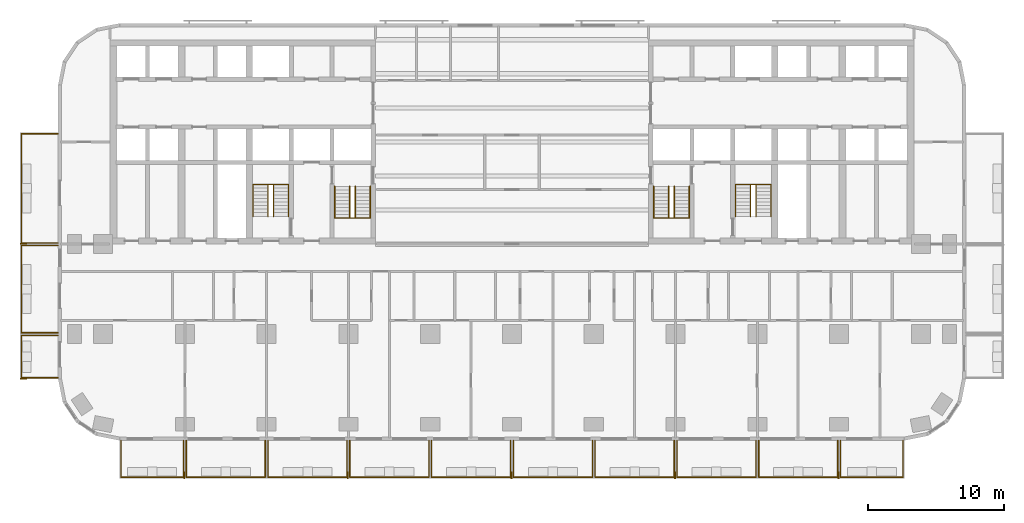
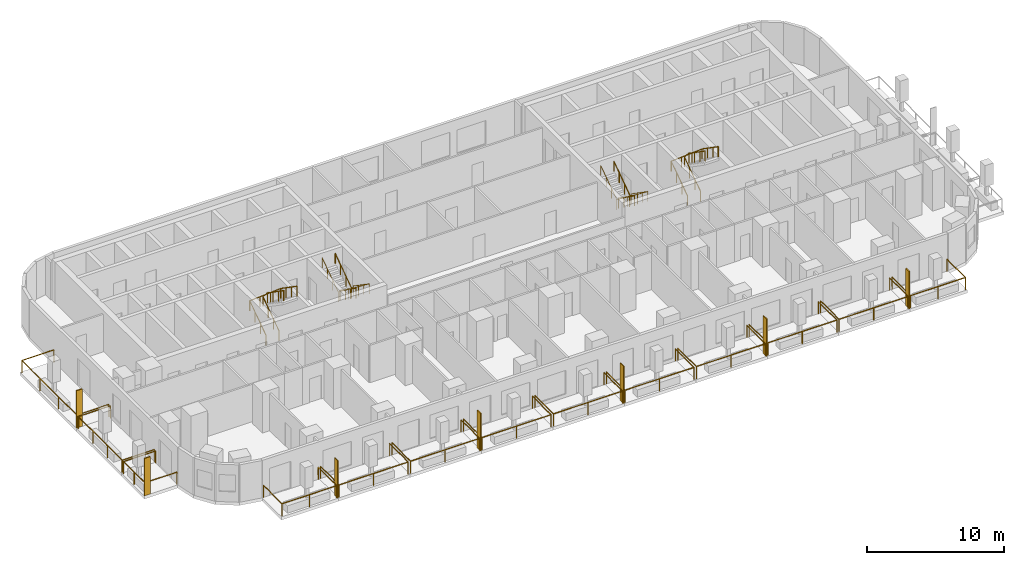
# One storey, part 12 of 14: 21 railings, 7 shading devices.
"""IFC4 building model written with IfcOpenShell, lengths in metres."""

from ifc_helpers import new_model, si_unit, direction, frame, origin, origin_2d, place, context, subcontext, project, spatial, rectangle, circle, extrude, material, layer, layer_set, type_object, element, save


model = new_model("IFC4")

# Units and contexts
model_context = context("Model", 3, precision=1e-05, world=origin(), true_north=direction((0.0, 1.0)))
body_context = subcontext(model_context, "Body", "Model", "MODEL_VIEW")
ifc_project = project(units=[si_unit("LENGTHUNIT", "METRE"), si_unit("AREAUNIT", "SQUARE_METRE"), si_unit("VOLUMEUNIT", "CUBIC_METRE"), si_unit("PLANEANGLEUNIT", "RADIAN"), si_unit("MASSUNIT", "GRAM", prefix="KILO")], contexts=[model_context])

# Site, building, storey
site_placement = place(None, origin())
site = spatial("IfcSite", under=ifc_project, at=site_placement, CompositionType="ELEMENT")
building_placement = place(site_placement, origin())
building = spatial("IfcBuilding", under=site, at=building_placement, Name="Torana Hotel and Residences", CompositionType="ELEMENT")
storey_placement = place(building_placement, frame((0.0, 0.0, 96.0)))
storey = spatial("IfcBuildingStorey", under=building, at=storey_placement, Name="L24", CompositionType="ELEMENT", Elevation=96.0)

# Shading devices
ifc_material_1 = material(Name="Black powder coated aluminium", Category="aluminium")
ifc_layer = layer(ifc_material_1, 0.080078125)
ifc_layer_set = layer_set([ifc_layer], Name="FN1 VERTICAL FIN 500x80")
shading_device_type = type_object("IfcShadingDeviceType", Name="FN1 VERTICAL FIN 500x80", PredefinedType="USERDEFINED", material=ifc_layer_set)
for number, where, z_axis, x_axis, name in (
    (1, (-24.0400390625, -31.949951171875, 0.0), (0.0, 0.0, 1.0), (-1.0, 0.0, 0.0), "Fin 01"),
    (2, (-12.0400390625, -31.949951171875, 0.0), (0.0, 0.0, 1.0), (-1.0, 0.0, 0.0), "Fin 03"),
    (3, (-0.0400390625, -31.949951171875, 0.0), (0.0, 0.0, 1.0), (-1.0, 0.0, 0.0), "Fin 05"),
    (4, (11.9599609375, -31.949951171875, 0.0), (0.0, 0.0, 1.0), (-1.0, 0.0, 0.0), "Fin 07"),
    (5, (23.9599609375, -31.949951171875, 0.0), (0.0, 0.0, 1.0), (-1.0, 0.0, 0.0), "Fin 09"),
    (6, (-35.85009765625, -24.860107421875, 0.0), (0.0, 0.0, 1.0), (0.0, 1.0, 0.0), "Fin 11"),
    (7, (-35.85009765625, -14.9599609375, 0.0), (0.0, 0.0, 1.0), (0.0, 1.0, 0.0), "Fin 13"),
):
    element("IfcShadingDevice", number, at=place(storey_placement, frame(where, z_axis=z_axis, x_axis=x_axis)), inside=storey, type_object=shading_device_type, Name=name, ObjectType="FIN", PredefinedType="USERDEFINED", context=body_context, shape_type="SweptSolid", body=[
        extrude(rectangle(XDim=0.080078125, YDim=0.5, at=origin_2d()), origin(), (0.0, 0.0, 1.0), 3.320068359375),
    ])

# Railings
ifc_material_2 = material(Name="Laminated glass balustrade with black handrail", Category="glass")
railing_type_1 = type_object("IfcRailingType", Name="GR1 BALCONY GUARD 1100 GLASS", PredefinedType="GUARDRAIL", material=ifc_material_2)
railing_1_placement = place(storey_placement, frame((-24.10009765625, -29.39990234375, 0.0)))
element("IfcRailing", 8, at=railing_1_placement, inside=storey, type_object=railing_type_1, Name="Balcony guard 01", PredefinedType="GUARDRAIL", context=body_context, shape_type="SweptSolid", body=[
    extrude(circle(Radius=0.02392578125, at=origin_2d()), frame((0.0, 0.0, 1.076171875), z_axis=(0.0, -1.0, 0.0), x_axis=(1.0, 0.0, 0.0)), (0.0, 0.0, 1.0), 2.7001953125),
    extrude(circle(Radius=0.02392578125, at=origin_2d()), frame((0.0, -2.7001953125, 1.076171875), z_axis=(-1.0, 0.0, 0.0), x_axis=(0.0, -1.0, 0.0)), (0.0, 0.0, 1.0), 4.599853515625),
    extrude(circle(Radius=0.02392578125, at=origin_2d()), frame((-4.599853515625, -2.7001953125, 1.076171875), z_axis=(0.0, 1.0, 0.0), x_axis=(-1.0, 0.0, 0.0)), (0.0, 0.0, 1.0), 2.7001953125),
    extrude(circle(Radius=0.02099609375, at=origin_2d()), origin(), (0.0, 0.0, 1.0), 1.052001953125),
    extrude(circle(Radius=0.02099609375, at=origin_2d()), frame((0.0, -2.7001953125, 0.0)), (0.0, 0.0, 1.0), 1.052001953125),
    extrude(circle(Radius=0.02099609375, at=origin_2d()), frame((-2.2998046875, -2.7001953125, 0.0)), (0.0, 0.0, 1.0), 1.052001953125),
    extrude(circle(Radius=0.02099609375, at=origin_2d()), frame((-4.599853515625, -2.7001953125, 0.0)), (0.0, 0.0, 1.0), 1.052001953125),
    extrude(circle(Radius=0.02099609375, at=origin_2d()), frame((-4.599853515625, 0.0, 0.0)), (0.0, 0.0, 1.0), 1.052001953125),
])
for number, where, name in (
    (9, (-18.10009765625, -29.39990234375, 0.0), "Balcony guard 02"),
    (10, (-12.10009765625, -29.39990234375, 0.0), "Balcony guard 03"),
    (11, (-6.10009765625, -29.39990234375, 0.0), "Balcony guard 04"),
    (12, (-0.10009765625, -29.39990234375, 0.0), "Balcony guard 05"),
    (13, (5.89990234375, -29.39990234375, 0.0), "Balcony guard 06"),
    (14, (11.89990234375, -29.39990234375, 0.0), "Balcony guard 07"),
    (15, (17.89990234375, -29.39990234375, 0.0), "Balcony guard 08"),
    (16, (23.89990234375, -29.39990234375, 0.0), "Balcony guard 09"),
):
    element("IfcRailing", number, at=place(storey_placement, frame(where)), inside=storey, type_object=railing_type_1, Name=name, PredefinedType="GUARDRAIL", context=body_context, shape_type="SweptSolid", body=[
        extrude(circle(Radius=0.02392578125, at=origin_2d()), frame((0.0, 0.0, 1.076171875), z_axis=(0.0, -1.0, 0.0), x_axis=(1.0, 0.0, 0.0)), (0.0, 0.0, 1.0), 2.7001953125),
        extrude(circle(Radius=0.02392578125, at=origin_2d()), frame((0.0, -2.7001953125, 1.076171875), z_axis=(-1.0, 0.0, 0.0), x_axis=(0.0, -1.0, 0.0)), (0.0, 0.0, 1.0), 5.7998046875),
        extrude(circle(Radius=0.02392578125, at=origin_2d()), frame((-5.7998046875, -2.7001953125, 1.076171875), z_axis=(0.0, 1.0, 0.0), x_axis=(-1.0, 0.0, 0.0)), (0.0, 0.0, 1.0), 2.7001953125),
        extrude(circle(Radius=0.02099609375, at=origin_2d()), origin(), (0.0, 0.0, 1.0), 1.052001953125),
        extrude(circle(Radius=0.02099609375, at=origin_2d()), frame((0.0, -2.7001953125, 0.0)), (0.0, 0.0, 1.0), 1.052001953125),
        extrude(circle(Radius=0.02099609375, at=origin_2d()), frame((-2.89990234375, -2.7001953125, 0.0)), (0.0, 0.0, 1.0), 1.052001953125),
        extrude(circle(Radius=0.02099609375, at=origin_2d()), frame((-5.7998046875, -2.7001953125, 0.0)), (0.0, 0.0, 1.0), 1.052001953125),
        extrude(circle(Radius=0.02099609375, at=origin_2d()), frame((-5.7998046875, 0.0, 0.0)), (0.0, 0.0, 1.0), 1.052001953125),
    ])
railing_2_placement = place(storey_placement, frame((28.699951171875, -29.39990234375, 0.0)))
element("IfcRailing", 17, at=railing_2_placement, inside=storey, type_object=railing_type_1, Name="Balcony guard 10", PredefinedType="GUARDRAIL", context=body_context, shape_type="SweptSolid", body=[
    extrude(circle(Radius=0.02392578125, at=origin_2d()), frame((0.0, 0.0, 1.076171875), z_axis=(0.0, -1.0, 0.0), x_axis=(1.0, 0.0, 0.0)), (0.0, 0.0, 1.0), 2.7001953125),
    extrude(circle(Radius=0.02392578125, at=origin_2d()), frame((0.0, -2.7001953125, 1.076171875), z_axis=(-1.0, 0.0, 0.0), x_axis=(0.0, -1.0, 0.0)), (0.0, 0.0, 1.0), 4.599853515625),
    extrude(circle(Radius=0.02392578125, at=origin_2d()), frame((-4.599853515625, -2.7001953125, 1.076171875), z_axis=(0.0, 1.0, 0.0), x_axis=(-1.0, 0.0, 0.0)), (0.0, 0.0, 1.0), 2.7001953125),
    extrude(circle(Radius=0.02099609375, at=origin_2d()), origin(), (0.0, 0.0, 1.0), 1.052001953125),
    extrude(circle(Radius=0.02099609375, at=origin_2d()), frame((0.0, -2.7001953125, 0.0)), (0.0, 0.0, 1.0), 1.052001953125),
    extrude(circle(Radius=0.02099609375, at=origin_2d()), frame((-2.2998046875, -2.7001953125, 0.0)), (0.0, 0.0, 1.0), 1.052001953125),
    extrude(circle(Radius=0.02099609375, at=origin_2d()), frame((-4.599853515625, -2.7001953125, 0.0)), (0.0, 0.0, 1.0), 1.052001953125),
    extrude(circle(Radius=0.02099609375, at=origin_2d()), frame((-4.599853515625, 0.0, 0.0)), (0.0, 0.0, 1.0), 1.052001953125),
])
railing_3_placement = place(storey_placement, frame((-33.300048828125, -24.800048828125, 0.0)))
element("IfcRailing", 18, at=railing_3_placement, inside=storey, type_object=railing_type_1, Name="Balcony guard 11", PredefinedType="GUARDRAIL", context=body_context, shape_type="SweptSolid", body=[
    extrude(circle(Radius=0.02392578125, at=origin_2d()), frame((0.0, 0.0, 1.076171875), z_axis=(-1.0, 0.0, 0.0), x_axis=(0.0, -1.0, 0.0)), (0.0, 0.0, 1.0), 2.699951171875),
    extrude(circle(Radius=0.02392578125, at=origin_2d()), frame((-2.699951171875, 0.0, 1.076171875), z_axis=(0.0, 1.0, 0.0), x_axis=(-1.0, 0.0, 0.0)), (0.0, 0.0, 1.0), 3.10009765625),
    extrude(circle(Radius=0.02392578125, at=origin_2d()), frame((-2.699951171875, 3.10009765625, 1.076171875), z_axis=(1.0, 0.0, 0.0), x_axis=(0.0, 1.0, 0.0)), (0.0, 0.0, 1.0), 2.699951171875),
    extrude(circle(Radius=0.02099609375, at=origin_2d()), origin(), (0.0, 0.0, 1.0), 1.052001953125),
    extrude(circle(Radius=0.02099609375, at=origin_2d()), frame((-2.699951171875, 0.0, 0.0)), (0.0, 0.0, 1.0), 1.052001953125),
    extrude(circle(Radius=0.02099609375, at=origin_2d()), frame((-2.699951171875, 1.550048828125, 0.0)), (0.0, 0.0, 1.0), 1.052001953125),
    extrude(circle(Radius=0.02099609375, at=origin_2d()), frame((-2.699951171875, 3.10009765625, 0.0)), (0.0, 0.0, 1.0), 1.052001953125),
    extrude(circle(Radius=0.02099609375, at=origin_2d()), frame((0.0, 3.10009765625, 0.0)), (0.0, 0.0, 1.0), 1.052001953125),
])
railing_4_placement = place(storey_placement, frame((-33.300048828125, -21.5, 0.0)))
element("IfcRailing", 19, at=railing_4_placement, inside=storey, type_object=railing_type_1, Name="Balcony guard 12", PredefinedType="GUARDRAIL", context=body_context, shape_type="SweptSolid", body=[
    extrude(circle(Radius=0.02392578125, at=origin_2d()), frame((0.0, 0.0, 1.076171875), z_axis=(-1.0, 0.0, 0.0), x_axis=(0.0, -1.0, 0.0)), (0.0, 0.0, 1.0), 2.699951171875),
    extrude(circle(Radius=0.02392578125, at=origin_2d()), frame((-2.699951171875, 0.0, 1.076171875), z_axis=(0.0, 1.0, 0.0), x_axis=(-1.0, 0.0, 0.0)), (0.0, 0.0, 1.0), 6.39990234375),
    extrude(circle(Radius=0.02392578125, at=origin_2d()), frame((-2.699951171875, 6.39990234375, 1.076171875), z_axis=(1.0, 0.0, 0.0), x_axis=(0.0, 1.0, 0.0)), (0.0, 0.0, 1.0), 2.699951171875),
    extrude(circle(Radius=0.02099609375, at=origin_2d()), origin(), (0.0, 0.0, 1.0), 1.052001953125),
    extrude(circle(Radius=0.02099609375, at=origin_2d()), frame((-2.699951171875, 0.0, 0.0)), (0.0, 0.0, 1.0), 1.052001953125),
    extrude(circle(Radius=0.02099609375, at=origin_2d()), frame((-2.699951171875, 2.13330078125, 0.0)), (0.0, 0.0, 1.0), 1.052001953125),
    extrude(circle(Radius=0.02099609375, at=origin_2d()), frame((-2.699951171875, 4.2666015625, 0.0)), (0.0, 0.0, 1.0), 1.052001953125),
    extrude(circle(Radius=0.02099609375, at=origin_2d()), frame((-2.699951171875, 6.39990234375, 0.0)), (0.0, 0.0, 1.0), 1.052001953125),
    extrude(circle(Radius=0.02099609375, at=origin_2d()), frame((0.0, 6.39990234375, 0.0)), (0.0, 0.0, 1.0), 1.052001953125),
])
railing_5_placement = place(storey_placement, frame((-33.300048828125, -14.89990234375, 0.0)))
element("IfcRailing", 20, at=railing_5_placement, inside=storey, type_object=railing_type_1, Name="Balcony guard 13", PredefinedType="GUARDRAIL", context=body_context, shape_type="SweptSolid", body=[
    extrude(circle(Radius=0.02392578125, at=origin_2d()), frame((0.0, 0.0, 1.076171875), z_axis=(-1.0, 0.0, 0.0), x_axis=(0.0, -1.0, 0.0)), (0.0, 0.0, 1.0), 2.699951171875),
    extrude(circle(Radius=0.02392578125, at=origin_2d()), frame((-2.699951171875, 0.0, 1.076171875), z_axis=(0.0, 1.0, 0.0), x_axis=(-1.0, 0.0, 0.0)), (0.0, 0.0, 1.0), 8.0),
    extrude(circle(Radius=0.02392578125, at=origin_2d()), frame((-2.699951171875, 8.0, 1.076171875), z_axis=(1.0, 0.0, 0.0), x_axis=(0.0, 1.0, 0.0)), (0.0, 0.0, 1.0), 2.699951171875),
    extrude(circle(Radius=0.02099609375, at=origin_2d()), origin(), (0.0, 0.0, 1.0), 1.052001953125),
    extrude(circle(Radius=0.02099609375, at=origin_2d()), frame((-2.699951171875, 0.0, 0.0)), (0.0, 0.0, 1.0), 1.052001953125),
    extrude(circle(Radius=0.02099609375, at=origin_2d()), frame((-2.699951171875, 2.666748046875, 0.0)), (0.0, 0.0, 1.0), 1.052001953125),
    extrude(circle(Radius=0.02099609375, at=origin_2d()), frame((-2.699951171875, 5.333251953125, 0.0)), (0.0, 0.0, 1.0), 1.052001953125),
    extrude(circle(Radius=0.02099609375, at=origin_2d()), frame((-2.699951171875, 8.0, 0.0)), (0.0, 0.0, 1.0), 1.052001953125),
    extrude(circle(Radius=0.02099609375, at=origin_2d()), frame((0.0, 8.0, 0.0)), (0.0, 0.0, 1.0), 1.052001953125),
])
ifc_material_3 = material(Name="Stainless steel 316", Category="steel")
railing_type_2 = type_object("IfcRailingType", Name="STAIR HANDRAIL HR1 900", PredefinedType="HANDRAIL", material=ifc_material_3)
railing_6_placement = place(storey_placement, frame((-10.39990234375, -10.75, 0.179931640625)))
element("IfcRailing", 21, at=railing_6_placement, inside=storey, type_object=railing_type_2, Name="Handrail ST1 L24 O1", PredefinedType="HANDRAIL", context=body_context, shape_type="SweptSolid", body=[
    extrude(circle(Radius=0.02392578125, at=origin_2d()), frame((0.0, 0.0, 0.8759765625), z_axis=(0.0, -0.822182927502, 0.569223360136), x_axis=(1.0, 0.0, 0.0)), (0.0, 0.0, 1.0), 2.84619140625),
    extrude(circle(Radius=0.02392578125, at=origin_2d()), frame((0.0, -2.340087890625, 2.49609375), z_axis=(-0.997614115953, 0.0, 0.069036770278), x_axis=(0.0, -1.0, 0.0)), (0.0, 0.0, 1.0), 2.606201171875),
    extrude(circle(Radius=0.02392578125, at=origin_2d()), frame((-2.60009765625, -2.340087890625, 2.67578125), z_axis=(0.0, 0.822182927502, 0.569223360136), x_axis=(-1.0, 0.0, 0.0)), (0.0, 0.0, 1.0), 2.84619140625),
    extrude(circle(Radius=0.02099609375, at=origin_2d()), origin(), (0.0, 0.0, 1.0), 0.851806640625),
    extrude(circle(Radius=0.02099609375, at=origin_2d()), frame((0.0, -0.780029296875, 0.5400390625)), (0.0, 0.0, 1.0), 0.851806640625),
    extrude(circle(Radius=0.02099609375, at=origin_2d()), frame((0.0, -1.56005859375, 1.080078125)), (0.0, 0.0, 1.0), 0.851806640625),
    extrude(circle(Radius=0.02099609375, at=origin_2d()), frame((0.0, -2.340087890625, 1.6201171875)), (0.0, 0.0, 1.0), 0.851806640625),
    extrude(circle(Radius=0.02099609375, at=origin_2d()), frame((-0.86669921875, -2.340087890625, 1.68017578125)), (0.0, 0.0, 1.0), 0.851806640625),
    extrude(circle(Radius=0.02099609375, at=origin_2d()), frame((-1.7333984375, -2.340087890625, 1.739990234375)), (0.0, 0.0, 1.0), 0.851806640625),
    extrude(circle(Radius=0.02099609375, at=origin_2d()), frame((-2.60009765625, -2.340087890625, 1.800048828125)), (0.0, 0.0, 1.0), 0.851806640625),
    extrude(circle(Radius=0.02099609375, at=origin_2d()), frame((-2.60009765625, -1.56005859375, 2.340087890625)), (0.0, 0.0, 1.0), 0.851806640625),
    extrude(circle(Radius=0.02099609375, at=origin_2d()), frame((-2.60009765625, -0.780029296875, 2.880126953125)), (0.0, 0.0, 1.0), 0.851806640625),
    extrude(circle(Radius=0.02099609375, at=origin_2d()), frame((-2.60009765625, 0.0, 3.420166015625)), (0.0, 0.0, 1.0), 0.851806640625),
])
railing_7_placement = place(storey_placement, frame((-11.5, -10.75, 0.179931640625)))
element("IfcRailing", 22, at=railing_7_placement, inside=storey, type_object=railing_type_2, Name="Handrail ST1 L24 I1", PredefinedType="HANDRAIL", context=body_context, shape_type="SweptSolid", body=[
    extrude(circle(Radius=0.02392578125, at=origin_2d()), frame((0.0, 0.0, 0.8759765625), z_axis=(0.0, -0.822182927502, 0.569223360136), x_axis=(1.0, 0.0, 0.0)), (0.0, 0.0, 1.0), 2.84619140625),
    extrude(circle(Radius=0.02392578125, at=origin_2d()), frame((0.0, -2.340087890625, 2.49609375), z_axis=(-0.911942338396, 0.0, 0.410318378143), x_axis=(0.0, -1.0, 0.0)), (0.0, 0.0, 1.0), 0.4384765625),
    extrude(circle(Radius=0.02392578125, at=origin_2d()), frame((-0.39990234375, -2.340087890625, 2.67578125), z_axis=(0.0, 0.822182927502, 0.569223360136), x_axis=(-1.0, 0.0, 0.0)), (0.0, 0.0, 1.0), 2.84619140625),
    extrude(circle(Radius=0.02099609375, at=origin_2d()), origin(), (0.0, 0.0, 1.0), 0.851806640625),
    extrude(circle(Radius=0.02099609375, at=origin_2d()), frame((0.0, -0.780029296875, 0.5400390625)), (0.0, 0.0, 1.0), 0.851806640625),
    extrude(circle(Radius=0.02099609375, at=origin_2d()), frame((0.0, -1.56005859375, 1.080078125)), (0.0, 0.0, 1.0), 0.851806640625),
    extrude(circle(Radius=0.02099609375, at=origin_2d()), frame((0.0, -2.340087890625, 1.6201171875)), (0.0, 0.0, 1.0), 0.851806640625),
    extrude(circle(Radius=0.02099609375, at=origin_2d()), frame((-0.39990234375, -2.340087890625, 1.800048828125)), (0.0, 0.0, 1.0), 0.851806640625),
    extrude(circle(Radius=0.02099609375, at=origin_2d()), frame((-0.39990234375, -1.56005859375, 2.340087890625)), (0.0, 0.0, 1.0), 0.851806640625),
    extrude(circle(Radius=0.02099609375, at=origin_2d()), frame((-0.39990234375, -0.780029296875, 2.880126953125)), (0.0, 0.0, 1.0), 0.851806640625),
    extrude(circle(Radius=0.02099609375, at=origin_2d()), frame((-0.39990234375, 0.0, 3.420166015625)), (0.0, 0.0, 1.0), 0.851806640625),
])
railing_8_placement = place(storey_placement, frame((-19.0, -12.949951171875, 0.179931640625)))
element("IfcRailing", 23, at=railing_8_placement, inside=storey, type_object=railing_type_2, Name="Handrail ST2 L24 O1", PredefinedType="HANDRAIL", context=body_context, shape_type="SweptSolid", body=[
    extrude(circle(Radius=0.02392578125, at=origin_2d()), frame((0.0, 0.0, 0.8759765625), z_axis=(0.0, 0.822155131156, 0.569263506923), x_axis=(-1.0, 0.0, 0.0)), (0.0, 0.0, 1.0), 2.845947265625),
    extrude(circle(Radius=0.02392578125, at=origin_2d()), frame((0.0, 2.33984375, 2.49609375), z_axis=(0.997614115953, 0.0, 0.069036770278), x_axis=(0.0, 1.0, 0.0)), (0.0, 0.0, 1.0), 2.606201171875),
    extrude(circle(Radius=0.02392578125, at=origin_2d()), frame((2.60009765625, 2.33984375, 2.67578125), z_axis=(0.0, -0.822155131156, 0.569263506923), x_axis=(1.0, 0.0, 0.0)), (0.0, 0.0, 1.0), 2.845947265625),
    extrude(circle(Radius=0.02099609375, at=origin_2d()), origin(), (0.0, 0.0, 1.0), 0.851806640625),
    extrude(circle(Radius=0.02099609375, at=origin_2d()), frame((0.0, 0.780029296875, 0.5400390625)), (0.0, 0.0, 1.0), 0.851806640625),
    extrude(circle(Radius=0.02099609375, at=origin_2d()), frame((0.0, 1.559814453125, 1.080078125)), (0.0, 0.0, 1.0), 0.851806640625),
    extrude(circle(Radius=0.02099609375, at=origin_2d()), frame((0.0, 2.33984375, 1.6201171875)), (0.0, 0.0, 1.0), 0.851806640625),
    extrude(circle(Radius=0.02099609375, at=origin_2d()), frame((0.86669921875, 2.33984375, 1.68017578125)), (0.0, 0.0, 1.0), 0.851806640625),
    extrude(circle(Radius=0.02099609375, at=origin_2d()), frame((1.7333984375, 2.33984375, 1.739990234375)), (0.0, 0.0, 1.0), 0.851806640625),
    extrude(circle(Radius=0.02099609375, at=origin_2d()), frame((2.60009765625, 2.33984375, 1.800048828125)), (0.0, 0.0, 1.0), 0.851806640625),
    extrude(circle(Radius=0.02099609375, at=origin_2d()), frame((2.60009765625, 1.559814453125, 2.340087890625)), (0.0, 0.0, 1.0), 0.851806640625),
    extrude(circle(Radius=0.02099609375, at=origin_2d()), frame((2.60009765625, 0.780029296875, 2.880126953125)), (0.0, 0.0, 1.0), 0.851806640625),
    extrude(circle(Radius=0.02099609375, at=origin_2d()), frame((2.60009765625, 0.0, 3.420166015625)), (0.0, 0.0, 1.0), 0.851806640625),
])
railing_9_placement = place(storey_placement, frame((-17.89990234375, -12.949951171875, 0.179931640625)))
element("IfcRailing", 24, at=railing_9_placement, inside=storey, type_object=railing_type_2, Name="Handrail ST2 L24 I1", PredefinedType="HANDRAIL", context=body_context, shape_type="SweptSolid", body=[
    extrude(circle(Radius=0.02392578125, at=origin_2d()), frame((0.0, 0.0, 0.8759765625), z_axis=(0.0, 0.822155131156, 0.569263506923), x_axis=(-1.0, 0.0, 0.0)), (0.0, 0.0, 1.0), 2.845947265625),
    extrude(circle(Radius=0.02392578125, at=origin_2d()), frame((0.0, 2.33984375, 2.49609375), z_axis=(0.911942338396, 0.0, 0.410318378143), x_axis=(0.0, 1.0, 0.0)), (0.0, 0.0, 1.0), 0.4384765625),
    extrude(circle(Radius=0.02392578125, at=origin_2d()), frame((0.39990234375, 2.33984375, 2.67578125), z_axis=(0.0, -0.822155131156, 0.569263506923), x_axis=(1.0, 0.0, 0.0)), (0.0, 0.0, 1.0), 2.845947265625),
    extrude(circle(Radius=0.02099609375, at=origin_2d()), origin(), (0.0, 0.0, 1.0), 0.851806640625),
    extrude(circle(Radius=0.02099609375, at=origin_2d()), frame((0.0, 0.780029296875, 0.5400390625)), (0.0, 0.0, 1.0), 0.851806640625),
    extrude(circle(Radius=0.02099609375, at=origin_2d()), frame((0.0, 1.559814453125, 1.080078125)), (0.0, 0.0, 1.0), 0.851806640625),
    extrude(circle(Radius=0.02099609375, at=origin_2d()), frame((0.0, 2.33984375, 1.6201171875)), (0.0, 0.0, 1.0), 0.851806640625),
    extrude(circle(Radius=0.02099609375, at=origin_2d()), frame((0.39990234375, 2.33984375, 1.800048828125)), (0.0, 0.0, 1.0), 0.851806640625),
    extrude(circle(Radius=0.02099609375, at=origin_2d()), frame((0.39990234375, 1.559814453125, 2.340087890625)), (0.0, 0.0, 1.0), 0.851806640625),
    extrude(circle(Radius=0.02099609375, at=origin_2d()), frame((0.39990234375, 0.780029296875, 2.880126953125)), (0.0, 0.0, 1.0), 0.851806640625),
    extrude(circle(Radius=0.02099609375, at=origin_2d()), frame((0.39990234375, 0.0, 3.420166015625)), (0.0, 0.0, 1.0), 0.851806640625),
])
railing_10_placement = place(storey_placement, frame((13.0, -10.75, 0.179931640625)))
element("IfcRailing", 25, at=railing_10_placement, inside=storey, type_object=railing_type_2, Name="Handrail ST3 L24 O1", PredefinedType="HANDRAIL", context=body_context, shape_type="SweptSolid", body=[
    extrude(circle(Radius=0.02392578125, at=origin_2d()), frame((0.0, 0.0, 0.8759765625), z_axis=(0.0, -0.822182927502, 0.569223360136), x_axis=(1.0, 0.0, 0.0)), (0.0, 0.0, 1.0), 2.84619140625),
    extrude(circle(Radius=0.02392578125, at=origin_2d()), frame((0.0, -2.340087890625, 2.49609375), z_axis=(-0.997614115953, 0.0, 0.069036770278), x_axis=(0.0, -1.0, 0.0)), (0.0, 0.0, 1.0), 2.606201171875),
    extrude(circle(Radius=0.02392578125, at=origin_2d()), frame((-2.60009765625, -2.340087890625, 2.67578125), z_axis=(0.0, 0.822182927502, 0.569223360136), x_axis=(-1.0, 0.0, 0.0)), (0.0, 0.0, 1.0), 2.84619140625),
    extrude(circle(Radius=0.02099609375, at=origin_2d()), origin(), (0.0, 0.0, 1.0), 0.851806640625),
    extrude(circle(Radius=0.02099609375, at=origin_2d()), frame((0.0, -0.780029296875, 0.5400390625)), (0.0, 0.0, 1.0), 0.851806640625),
    extrude(circle(Radius=0.02099609375, at=origin_2d()), frame((0.0, -1.56005859375, 1.080078125)), (0.0, 0.0, 1.0), 0.851806640625),
    extrude(circle(Radius=0.02099609375, at=origin_2d()), frame((0.0, -2.340087890625, 1.6201171875)), (0.0, 0.0, 1.0), 0.851806640625),
    extrude(circle(Radius=0.02099609375, at=origin_2d()), frame((-0.86669921875, -2.340087890625, 1.68017578125)), (0.0, 0.0, 1.0), 0.851806640625),
    extrude(circle(Radius=0.02099609375, at=origin_2d()), frame((-1.7333984375, -2.340087890625, 1.739990234375)), (0.0, 0.0, 1.0), 0.851806640625),
    extrude(circle(Radius=0.02099609375, at=origin_2d()), frame((-2.60009765625, -2.340087890625, 1.800048828125)), (0.0, 0.0, 1.0), 0.851806640625),
    extrude(circle(Radius=0.02099609375, at=origin_2d()), frame((-2.60009765625, -1.56005859375, 2.340087890625)), (0.0, 0.0, 1.0), 0.851806640625),
    extrude(circle(Radius=0.02099609375, at=origin_2d()), frame((-2.60009765625, -0.780029296875, 2.880126953125)), (0.0, 0.0, 1.0), 0.851806640625),
    extrude(circle(Radius=0.02099609375, at=origin_2d()), frame((-2.60009765625, 0.0, 3.420166015625)), (0.0, 0.0, 1.0), 0.851806640625),
])
railing_11_placement = place(storey_placement, frame((11.89990234375, -10.75, 0.179931640625)))
element("IfcRailing", 26, at=railing_11_placement, inside=storey, type_object=railing_type_2, Name="Handrail ST3 L24 I1", PredefinedType="HANDRAIL", context=body_context, shape_type="SweptSolid", body=[
    extrude(circle(Radius=0.02392578125, at=origin_2d()), frame((0.0, 0.0, 0.8759765625), z_axis=(0.0, -0.822182927502, 0.569223360136), x_axis=(1.0, 0.0, 0.0)), (0.0, 0.0, 1.0), 2.84619140625),
    extrude(circle(Radius=0.02392578125, at=origin_2d()), frame((0.0, -2.340087890625, 2.49609375), z_axis=(-0.911942338396, 0.0, 0.410318378143), x_axis=(0.0, -1.0, 0.0)), (0.0, 0.0, 1.0), 0.4384765625),
    extrude(circle(Radius=0.02392578125, at=origin_2d()), frame((-0.39990234375, -2.340087890625, 2.67578125), z_axis=(0.0, 0.822182927502, 0.569223360136), x_axis=(-1.0, 0.0, 0.0)), (0.0, 0.0, 1.0), 2.84619140625),
    extrude(circle(Radius=0.02099609375, at=origin_2d()), origin(), (0.0, 0.0, 1.0), 0.851806640625),
    extrude(circle(Radius=0.02099609375, at=origin_2d()), frame((0.0, -0.780029296875, 0.5400390625)), (0.0, 0.0, 1.0), 0.851806640625),
    extrude(circle(Radius=0.02099609375, at=origin_2d()), frame((0.0, -1.56005859375, 1.080078125)), (0.0, 0.0, 1.0), 0.851806640625),
    extrude(circle(Radius=0.02099609375, at=origin_2d()), frame((0.0, -2.340087890625, 1.6201171875)), (0.0, 0.0, 1.0), 0.851806640625),
    extrude(circle(Radius=0.02099609375, at=origin_2d()), frame((-0.39990234375, -2.340087890625, 1.800048828125)), (0.0, 0.0, 1.0), 0.851806640625),
    extrude(circle(Radius=0.02099609375, at=origin_2d()), frame((-0.39990234375, -1.56005859375, 2.340087890625)), (0.0, 0.0, 1.0), 0.851806640625),
    extrude(circle(Radius=0.02099609375, at=origin_2d()), frame((-0.39990234375, -0.780029296875, 2.880126953125)), (0.0, 0.0, 1.0), 0.851806640625),
    extrude(circle(Radius=0.02099609375, at=origin_2d()), frame((-0.39990234375, 0.0, 3.420166015625)), (0.0, 0.0, 1.0), 0.851806640625),
])
railing_12_placement = place(storey_placement, frame((16.39990234375, -12.949951171875, 0.179931640625)))
element("IfcRailing", 27, at=railing_12_placement, inside=storey, type_object=railing_type_2, Name="Handrail ST4 L24 O1", PredefinedType="HANDRAIL", context=body_context, shape_type="SweptSolid", body=[
    extrude(circle(Radius=0.02392578125, at=origin_2d()), frame((0.0, 0.0, 0.8759765625), z_axis=(0.0, 0.822155131156, 0.569263506923), x_axis=(-1.0, 0.0, 0.0)), (0.0, 0.0, 1.0), 2.845947265625),
    extrude(circle(Radius=0.02392578125, at=origin_2d()), frame((0.0, 2.33984375, 2.49609375), z_axis=(0.997614115953, 0.0, 0.069036770278), x_axis=(0.0, 1.0, 0.0)), (0.0, 0.0, 1.0), 2.606201171875),
    extrude(circle(Radius=0.02392578125, at=origin_2d()), frame((2.60009765625, 2.33984375, 2.67578125), z_axis=(0.0, -0.822155131156, 0.569263506923), x_axis=(1.0, 0.0, 0.0)), (0.0, 0.0, 1.0), 2.845947265625),
    extrude(circle(Radius=0.02099609375, at=origin_2d()), origin(), (0.0, 0.0, 1.0), 0.851806640625),
    extrude(circle(Radius=0.02099609375, at=origin_2d()), frame((0.0, 0.780029296875, 0.5400390625)), (0.0, 0.0, 1.0), 0.851806640625),
    extrude(circle(Radius=0.02099609375, at=origin_2d()), frame((0.0, 1.559814453125, 1.080078125)), (0.0, 0.0, 1.0), 0.851806640625),
    extrude(circle(Radius=0.02099609375, at=origin_2d()), frame((0.0, 2.33984375, 1.6201171875)), (0.0, 0.0, 1.0), 0.851806640625),
    extrude(circle(Radius=0.02099609375, at=origin_2d()), frame((0.86669921875, 2.33984375, 1.68017578125)), (0.0, 0.0, 1.0), 0.851806640625),
    extrude(circle(Radius=0.02099609375, at=origin_2d()), frame((1.7333984375, 2.33984375, 1.739990234375)), (0.0, 0.0, 1.0), 0.851806640625),
    extrude(circle(Radius=0.02099609375, at=origin_2d()), frame((2.60009765625, 2.33984375, 1.800048828125)), (0.0, 0.0, 1.0), 0.851806640625),
    extrude(circle(Radius=0.02099609375, at=origin_2d()), frame((2.60009765625, 1.559814453125, 2.340087890625)), (0.0, 0.0, 1.0), 0.851806640625),
    extrude(circle(Radius=0.02099609375, at=origin_2d()), frame((2.60009765625, 0.780029296875, 2.880126953125)), (0.0, 0.0, 1.0), 0.851806640625),
    extrude(circle(Radius=0.02099609375, at=origin_2d()), frame((2.60009765625, 0.0, 3.420166015625)), (0.0, 0.0, 1.0), 0.851806640625),
])
railing_13_placement = place(storey_placement, frame((17.5, -12.949951171875, 0.179931640625)))
element("IfcRailing", 28, at=railing_13_placement, inside=storey, type_object=railing_type_2, Name="Handrail ST4 L24 I1", PredefinedType="HANDRAIL", context=body_context, shape_type="SweptSolid", body=[
    extrude(circle(Radius=0.02392578125, at=origin_2d()), frame((0.0, 0.0, 0.8759765625), z_axis=(0.0, 0.822155131156, 0.569263506923), x_axis=(-1.0, 0.0, 0.0)), (0.0, 0.0, 1.0), 2.845947265625),
    extrude(circle(Radius=0.02392578125, at=origin_2d()), frame((0.0, 2.33984375, 2.49609375), z_axis=(0.911942338396, 0.0, 0.410318378143), x_axis=(0.0, 1.0, 0.0)), (0.0, 0.0, 1.0), 0.4384765625),
    extrude(circle(Radius=0.02392578125, at=origin_2d()), frame((0.39990234375, 2.33984375, 2.67578125), z_axis=(0.0, -0.822155131156, 0.569263506923), x_axis=(1.0, 0.0, 0.0)), (0.0, 0.0, 1.0), 2.845947265625),
    extrude(circle(Radius=0.02099609375, at=origin_2d()), origin(), (0.0, 0.0, 1.0), 0.851806640625),
    extrude(circle(Radius=0.02099609375, at=origin_2d()), frame((0.0, 0.780029296875, 0.5400390625)), (0.0, 0.0, 1.0), 0.851806640625),
    extrude(circle(Radius=0.02099609375, at=origin_2d()), frame((0.0, 1.559814453125, 1.080078125)), (0.0, 0.0, 1.0), 0.851806640625),
    extrude(circle(Radius=0.02099609375, at=origin_2d()), frame((0.0, 2.33984375, 1.6201171875)), (0.0, 0.0, 1.0), 0.851806640625),
    extrude(circle(Radius=0.02099609375, at=origin_2d()), frame((0.39990234375, 2.33984375, 1.800048828125)), (0.0, 0.0, 1.0), 0.851806640625),
    extrude(circle(Radius=0.02099609375, at=origin_2d()), frame((0.39990234375, 1.559814453125, 2.340087890625)), (0.0, 0.0, 1.0), 0.851806640625),
    extrude(circle(Radius=0.02099609375, at=origin_2d()), frame((0.39990234375, 0.780029296875, 2.880126953125)), (0.0, 0.0, 1.0), 0.851806640625),
    extrude(circle(Radius=0.02099609375, at=origin_2d()), frame((0.39990234375, 0.0, 3.420166015625)), (0.0, 0.0, 1.0), 0.851806640625),
])

save(model, "model.ifc")
